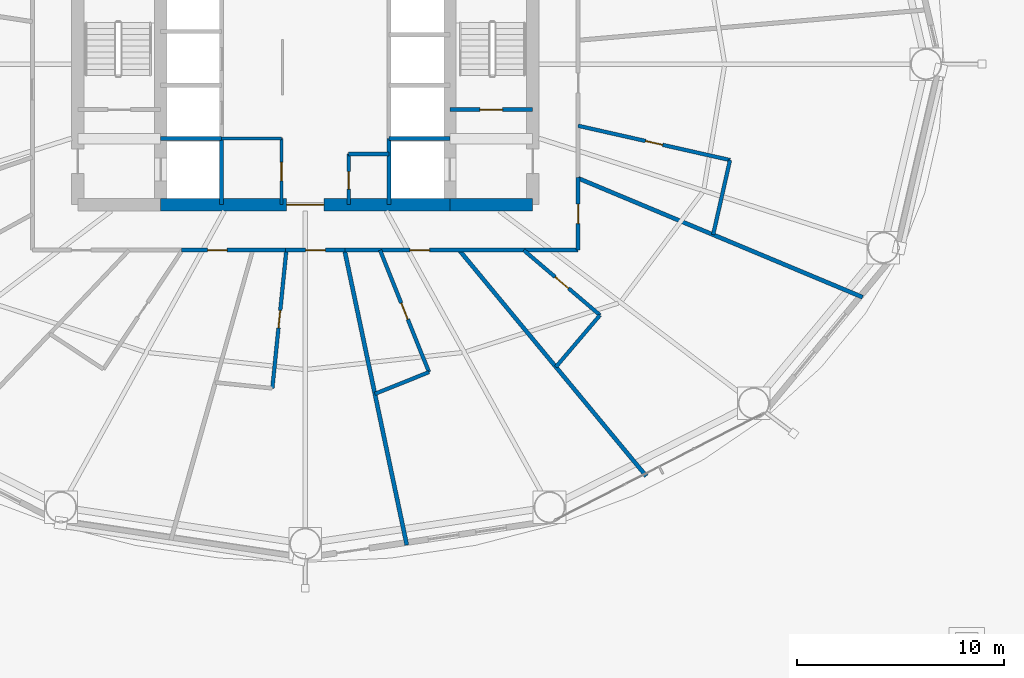
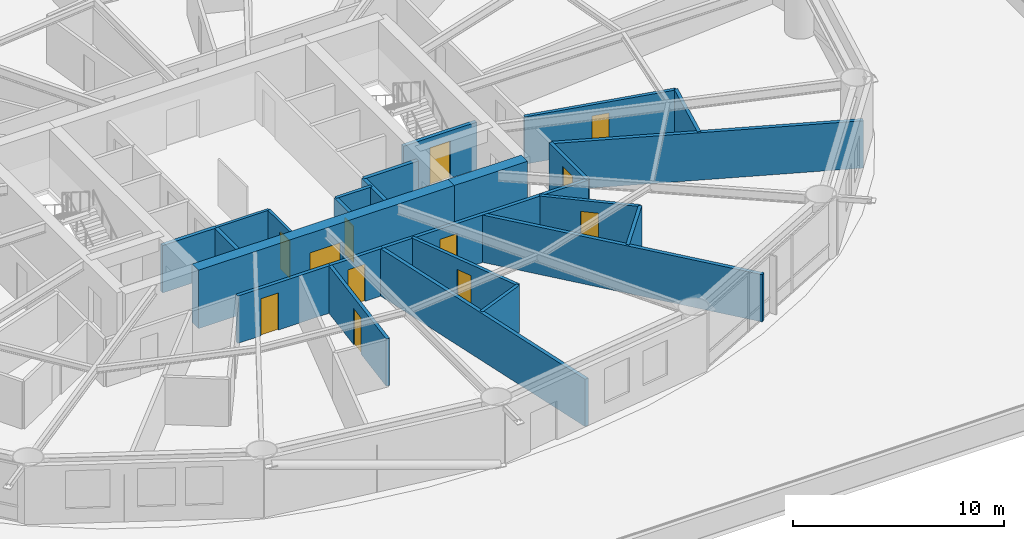
# One storey, part 23 of 30: 25 walls, 12 doors, 12 openings.
"""IFC4 building model written with IfcOpenShell, lengths in metres."""

from ifc_helpers import new_model, si_unit, direction, frame, frame_2d, origin, place, context, subcontext, project, spatial, rectangle, extrude, material, layer, layer_set, type_object, element, fill, save


model = new_model("IFC4")

# Units and contexts
model_context = context("Model", 3, precision=1e-05, world=origin(), true_north=direction((0.0, 1.0)))
body_context = subcontext(model_context, "Body", "Model", "MODEL_VIEW")
ifc_project = project(units=[si_unit("LENGTHUNIT", "METRE"), si_unit("AREAUNIT", "SQUARE_METRE"), si_unit("VOLUMEUNIT", "CUBIC_METRE"), si_unit("PLANEANGLEUNIT", "RADIAN"), si_unit("MASSUNIT", "GRAM", prefix="KILO")], contexts=[model_context])

# Site, building, storey
site_placement = place(None, origin())
site = spatial("IfcSite", under=ifc_project, at=site_placement, CompositionType="ELEMENT")
building_placement = place(site_placement, origin())
building = spatial("IfcBuilding", under=site, at=building_placement, Name="Sarneth Arch Tower", CompositionType="ELEMENT")
storey_placement = place(building_placement, frame((0.0, 0.0, 28.199951171875)))
storey = spatial("IfcBuildingStorey", under=building, at=storey_placement, Name="L05", CompositionType="ELEMENT", Elevation=28.199951171875)

# Wall, opening, door
ifc_material_1 = material(Name="Concrete C60/75", Category="concrete")
ifc_layer_1 = layer(ifc_material_1, 0.60009765625)
ifc_layer_set_1 = layer_set([ifc_layer_1], Name="Concrete C60/75")
wall_type_1 = type_object("IfcWallType", Name="WALL-CORE-600", PredefinedType="SHEAR", material=ifc_layer_set_1)
wall_1_placement = place(storey_placement, frame((41.0, 35.199951171875, 0.0), z_axis=(0.0, 0.0, 1.0), x_axis=(1.0, 0.0, 0.0)))
wall_1 = element("IfcWall", 1, at=wall_1_placement, inside=storey, type_object=wall_type_1, Name="L05 Core shear wall S-M", PredefinedType="SHEAR", context=body_context, shape_type="SweptSolid", body=[
    extrude(rectangle(XDim=14.0, YDim=0.60009765625, at=frame_2d((7.0, 0.0))), origin(), (0.0, 0.0, 1.0), 3.380126953125),
])
opening_1_placement = place(wall_1_placement, frame((6.10009765625, 0.0, 0.0)))
opening_1 = element("IfcOpeningElement", 2, at=opening_1_placement, cuts=wall_1, Name="Opening FD-01", PredefinedType="OPENING", context=body_context, shape_type="SweptSolid", body=[
    extrude(rectangle(XDim=1.800048828125, YDim=2.25, at=frame_2d((0.89990234375, 1.125))), frame((0.0, 0.31005859375, 0.0), z_axis=(0.0, -1.0, 0.0), x_axis=(1.0, 0.0, 0.0)), (0.0, 0.0, 1.0), 0.6201171875),
])
ifc_material_2 = material(Name="Galvanised Steel S275 fire door set", Category="steel")
door_type_1 = type_object("IfcDoorType", Name="DR-FD90-1800", OperationType="DOUBLE_DOOR_SINGLE_SWING", PredefinedType="DOOR", material=ifc_material_2)
door_1_placement = place(opening_1_placement, origin())
door_1 = element("IfcDoor", 3, at=door_1_placement, inside=storey, type_object=door_type_1, Name="L05 Central lift lobby south door", OperationType="DOUBLE_DOOR_SINGLE_SWING", OverallHeight=2.25, OverallWidth=1.800048828125, PredefinedType="DOOR", context=body_context, shape_type="SweptSolid", body=[
    extrude(rectangle(XDim=1.800048828125, YDim=2.25, at=frame_2d((0.89990234375, 1.125))), frame((0.0, 0.02490234375, 0.0), z_axis=(0.0, -1.0, 0.0), x_axis=(1.0, 0.0, 0.0)), (0.0, 0.0, 1.0), 0.050048828125),
])
fill(opening_1, door_1)

# Wall
wall_2_placement = place(storey_placement, frame((55.0, 35.199951171875, 0.0), z_axis=(0.0, 0.0, 1.0), x_axis=(1.0, 0.0, 0.0)))
element("IfcWall", 4, at=wall_2_placement, inside=storey, type_object=wall_type_1, Name="L05 Core shear wall S-E", PredefinedType="SHEAR", context=body_context, shape_type="SweptSolid", body=[
    extrude(rectangle(XDim=4.0, YDim=0.60009765625, at=frame_2d((2.0, 0.0))), origin(), (0.0, 0.0, 1.0), 3.380126953125),
])

# Wall, opening, door
ifc_material_3 = material(Name="Double steel-stud corridor fire wall", Category="steel")
ifc_layer_2 = layer(ifc_material_3, 0.18994140625)
ifc_layer_set_2 = layer_set([ifc_layer_2], Name="Double steel-stud corridor fire wall")
wall_type_2 = type_object("IfcWallType", Name="WALL-CORR-190", PredefinedType="PARTITIONING", material=ifc_layer_set_2)
wall_3_placement = place(storey_placement, frame((61.199951171875, 33.0, 0.0), z_axis=(0.0, 0.0, 1.0), x_axis=(-1.0, 0.0, 0.0)))
wall_3 = element("IfcWall", 5, at=wall_3_placement, inside=storey, type_object=wall_type_2, Name="L05 Interior partition W-L05-TP-022", PredefinedType="PARTITIONING", context=body_context, shape_type="SweptSolid", body=[
    extrude(rectangle(XDim=11.299560546875, YDim=0.18994140625, at=frame_2d((5.64990234375, 0.0))), origin(), (0.0, 0.0, 1.0), 2.739990234375),
])
opening_2_placement = place(wall_3_placement, frame((7.1884765625, 0.0, 0.0)))
opening_2 = element("IfcOpeningElement", 6, at=opening_2_placement, cuts=wall_3, Name="Opening FD-09", PredefinedType="OPENING", context=body_context, shape_type="SweptSolid", body=[
    extrude(rectangle(XDim=0.949951171875, YDim=2.14990234375, at=frame_2d((0.47509765625, 1.074951171875))), frame((0.0, 0.10498046875, 0.0), z_axis=(0.0, -1.0, 0.0), x_axis=(1.0, 0.0, 0.0)), (0.0, 0.0, 1.0), 0.2099609375),
])
ifc_material_4 = material(Name="Hardwood timber hotel entrance fire door", Category="wood")
door_type_2 = type_object("IfcDoorType", Name="DR-FD60-950", OperationType="SINGLE_SWING_RIGHT", PredefinedType="DOOR", material=ifc_material_4)
door_2_placement = place(opening_2_placement, origin())
door_2 = element("IfcDoor", 7, at=door_2_placement, inside=storey, type_object=door_type_2, Name="L05 Interior door DR-L05-KEY-11", OperationType="SINGLE_SWING_RIGHT", OverallHeight=2.14990234375, OverallWidth=0.949951171875, PredefinedType="DOOR", context=body_context, shape_type="SweptSolid", body=[
    extrude(rectangle(XDim=0.949951171875, YDim=2.14990234375, at=frame_2d((0.47509765625, 1.074951171875))), frame((0.0, 0.02490234375, 0.0), z_axis=(0.0, -1.0, 0.0), x_axis=(1.0, 0.0, 0.0)), (0.0, 0.0, 1.0), 0.050048828125),
])
fill(opening_2, door_2)

wall_4_placement = place(storey_placement, frame((61.199951171875, 36.51513671875, 0.0), z_axis=(0.0, 0.0, 1.0), x_axis=(0.0, -1.0, 0.0)))
wall_4 = element("IfcWall", 8, at=wall_4_placement, inside=storey, type_object=wall_type_2, Name="L05 Interior partition W-L05-TP-024", PredefinedType="PARTITIONING", context=body_context, shape_type="SweptSolid", body=[
    extrude(rectangle(XDim=3.51513671875, YDim=0.18994140625, at=frame_2d((1.757568359375, 0.0))), origin(), (0.0, 0.0, 1.0), 2.739990234375),
])
opening_3_placement = place(wall_4_placement, frame((1.282470703125, 0.0, 0.0)))
opening_3 = element("IfcOpeningElement", 9, at=opening_3_placement, cuts=wall_4, Name="Opening FD-09", PredefinedType="OPENING", context=body_context, shape_type="SweptSolid", body=[
    extrude(rectangle(XDim=0.949951171875, YDim=2.14990234375, at=frame_2d((0.47509765625, 1.074951171875))), frame((0.0, 0.10498046875, 0.0), z_axis=(0.0, -1.0, 0.0), x_axis=(1.0, 0.0, 0.0)), (0.0, 0.0, 1.0), 0.2099609375),
])
door_3_placement = place(opening_3_placement, origin())
door_3 = element("IfcDoor", 10, at=door_3_placement, inside=storey, type_object=door_type_2, Name="L05 Interior door DR-L05-KEY-12", OperationType="SINGLE_SWING_RIGHT", OverallHeight=2.14990234375, OverallWidth=0.949951171875, PredefinedType="DOOR", context=body_context, shape_type="SweptSolid", body=[
    extrude(rectangle(XDim=0.949951171875, YDim=2.14990234375, at=frame_2d((0.47509765625, 1.074951171875))), frame((0.0, 0.02490234375, 0.0), z_axis=(0.0, -1.0, 0.0), x_axis=(1.0, 0.0, 0.0)), (0.0, 0.0, 1.0), 0.050048828125),
])
fill(opening_3, door_3)

wall_5_placement = place(storey_placement, frame((47.117919921875, 33.0, 0.0), z_axis=(0.0, 0.0, 1.0), x_axis=(-1.0, 0.0, 0.0)))
wall_5 = element("IfcWall", 11, at=wall_5_placement, inside=storey, type_object=wall_type_2, Name="L05 Interior partition W-L05-TP-018", PredefinedType="PARTITIONING", context=body_context, shape_type="SweptSolid", body=[
    extrude(rectangle(XDim=5.111572265625, YDim=0.18994140625, at=frame_2d((2.5556640625, 0.0))), origin(), (0.0, 0.0, 1.0), 2.739990234375),
])
opening_4_placement = place(wall_5_placement, frame((2.893798828125, 0.0, 0.0)))
opening_4 = element("IfcOpeningElement", 12, at=opening_4_placement, cuts=wall_5, Name="Opening FD-09", PredefinedType="OPENING", context=body_context, shape_type="SweptSolid", body=[
    extrude(rectangle(XDim=0.949951171875, YDim=2.14990234375, at=frame_2d((0.47509765625, 1.074951171875))), frame((0.0, 0.10498046875, 0.0), z_axis=(0.0, -1.0, 0.0), x_axis=(1.0, 0.0, 0.0)), (0.0, 0.0, 1.0), 0.2099609375),
])
door_4_placement = place(opening_4_placement, origin())
door_4 = element("IfcDoor", 13, at=door_4_placement, inside=storey, type_object=door_type_2, Name="L05 Interior door DR-L05-KEY-09", OperationType="SINGLE_SWING_RIGHT", OverallHeight=2.14990234375, OverallWidth=0.949951171875, PredefinedType="DOOR", context=body_context, shape_type="SweptSolid", body=[
    extrude(rectangle(XDim=0.949951171875, YDim=2.14990234375, at=frame_2d((0.47509765625, 1.074951171875))), frame((0.0, 0.02490234375, 0.0), z_axis=(0.0, -1.0, 0.0), x_axis=(1.0, 0.0, 0.0)), (0.0, 0.0, 1.0), 0.050048828125),
])
fill(opening_4, door_4)

wall_6_placement = place(storey_placement, frame((49.93310546875, 33.0, 0.0), z_axis=(0.0, 0.0, 1.0), x_axis=(-1.0, 0.0, 0.0)))
wall_6 = element("IfcWall", 14, at=wall_6_placement, inside=storey, type_object=wall_type_2, Name="L05 Interior partition W-L05-TP-020", PredefinedType="PARTITIONING", context=body_context, shape_type="SweptSolid", body=[
    extrude(rectangle(XDim=2.87939453125, YDim=0.18994140625, at=frame_2d((1.439697265625, 0.0))), origin(), (0.0, 0.0, 1.0), 2.739990234375),
])
opening_5_placement = place(wall_6_placement, frame((0.96484375, 0.0, 0.0)))
opening_5 = element("IfcOpeningElement", 15, at=opening_5_placement, cuts=wall_6, Name="Opening FD-09", PredefinedType="OPENING", context=body_context, shape_type="SweptSolid", body=[
    extrude(rectangle(XDim=0.949951171875, YDim=2.14990234375, at=frame_2d((0.47509765625, 1.074951171875))), frame((0.0, 0.10498046875, 0.0), z_axis=(0.0, -1.0, 0.0), x_axis=(1.0, 0.0, 0.0)), (0.0, 0.0, 1.0), 0.2099609375),
])
door_5_placement = place(opening_5_placement, origin())
door_5 = element("IfcDoor", 16, at=door_5_placement, inside=storey, type_object=door_type_2, Name="L05 Interior door DR-L05-KEY-10", OperationType="SINGLE_SWING_RIGHT", OverallHeight=2.14990234375, OverallWidth=0.949951171875, PredefinedType="DOOR", context=body_context, shape_type="SweptSolid", body=[
    extrude(rectangle(XDim=0.949951171875, YDim=2.14990234375, at=frame_2d((0.47509765625, 1.074951171875))), frame((0.0, 0.02490234375, 0.0), z_axis=(0.0, -1.0, 0.0), x_axis=(1.0, 0.0, 0.0)), (0.0, 0.0, 1.0), 0.050048828125),
])
fill(opening_5, door_5)

# Wall
ifc_material_5 = material(Name="Acoustic gypsum stud partition", Category="gypsum")
ifc_layer_3 = layer(ifc_material_5, 0.14990234375)
ifc_layer_set_3 = layer_set([ifc_layer_3], Name="Acoustic gypsum stud partition")
wall_type_3 = type_object("IfcWallType", Name="WALL-PART-150", PredefinedType="PARTITIONING", material=ifc_layer_set_3)
wall_7_placement = place(storey_placement, frame((43.949951171875, 38.39990234375, 0.0), z_axis=(0.0, 0.0, 1.0), x_axis=(1.0, 0.0, 0.0)))
element("IfcWall", 17, at=wall_7_placement, inside=storey, type_object=wall_type_3, Name="L05 Interior partition W-L05-CSUP1-N", PredefinedType="PARTITIONING", context=body_context, shape_type="SweptSolid", body=[
    extrude(rectangle(XDim=2.900146484375, YDim=0.14990234375, at=frame_2d((1.4501953125, 0.0))), origin(), (0.0, 0.0, 1.0), 2.739990234375),
])

# Wall, opening, door
wall_8_placement = place(storey_placement, frame((46.85009765625, 35.199951171875, 0.0), z_axis=(0.0, 0.0, 1.0), x_axis=(0.0, 1.0, 0.0)))
wall_8 = element("IfcWall", 18, at=wall_8_placement, inside=storey, type_object=wall_type_3, Name="L05 Interior partition W-L05-CSUP1-E", PredefinedType="PARTITIONING", context=body_context, shape_type="SweptSolid", body=[
    extrude(rectangle(XDim=3.199951171875, YDim=0.14990234375, at=frame_2d((1.60009765625, 0.0))), origin(), (0.0, 0.0, 1.0), 2.739990234375),
])
opening_6_placement = place(wall_8_placement, frame((1.14990234375, 0.0, 0.0)))
opening_6 = element("IfcOpeningElement", 19, at=opening_6_placement, cuts=wall_8, Name="Opening FD-10", PredefinedType="OPENING", context=body_context, shape_type="SweptSolid", body=[
    extrude(rectangle(XDim=0.89990234375, YDim=2.14990234375, at=frame_2d((0.449951171875, 1.074951171875))), frame((0.0, 0.0849609375, 0.0), z_axis=(0.0, -1.0, 0.0), x_axis=(1.0, 0.0, 0.0)), (0.0, 0.0, 1.0), 0.169921875),
])
ifc_material_6 = material(Name="Galvanised Steel S275 riser/service fire door", Category="steel")
door_type_3 = type_object("IfcDoorType", Name="DR-FD60-900", OperationType="SINGLE_SWING_LEFT", PredefinedType="DOOR", material=ifc_material_6)
door_6_placement = place(opening_6_placement, origin())
door_6 = element("IfcDoor", 20, at=door_6_placement, inside=storey, type_object=door_type_3, Name="L05 Interior door DR-L05-CSUP1", OperationType="SINGLE_SWING_LEFT", OverallHeight=2.14990234375, OverallWidth=0.89990234375, PredefinedType="DOOR", context=body_context, shape_type="SweptSolid", body=[
    extrude(rectangle(XDim=0.89990234375, YDim=2.14990234375, at=frame_2d((0.449951171875, 1.074951171875))), frame((0.0, 0.02490234375, 0.0), z_axis=(0.0, -1.0, 0.0), x_axis=(1.0, 0.0, 0.0)), (0.0, 0.0, 1.0), 0.050048828125),
])
fill(opening_6, door_6)

# Wall
ifc_material_7 = material(Name="Moisture-resistant plumbing chase wall", Category="gypsum")
ifc_layer_4 = layer(ifc_material_7, 0.179931640625)
ifc_layer_set_4 = layer_set([ifc_layer_4], Name="Moisture-resistant plumbing chase wall")
wall_type_4 = type_object("IfcWallType", Name="WALL-PLUMB-180", PredefinedType="PLUMBINGWALL", material=ifc_layer_set_4)
wall_9_placement = place(storey_placement, frame((50.10009765625, 37.64990234375, 0.0), z_axis=(0.0, 0.0, 1.0), x_axis=(1.0, 0.0, 0.0)))
element("IfcWall", 21, at=wall_9_placement, inside=storey, type_object=wall_type_4, Name="L05 Interior partition W-L05-AWC-N", PredefinedType="PLUMBINGWALL", context=body_context, shape_type="SweptSolid", body=[
    extrude(rectangle(XDim=1.949951171875, YDim=0.179931640625, at=frame_2d((0.97509765625, 0.0))), origin(), (0.0, 0.0, 1.0), 2.739990234375),
])

# Wall, opening, door
wall_10_placement = place(storey_placement, frame((50.10009765625, 35.199951171875, 0.0), z_axis=(0.0, 0.0, 1.0), x_axis=(0.0, 1.0, 0.0)))
wall_10 = element("IfcWall", 22, at=wall_10_placement, inside=storey, type_object=wall_type_4, Name="L05 Interior partition W-L05-AWC-W", PredefinedType="PLUMBINGWALL", context=body_context, shape_type="SweptSolid", body=[
    extrude(rectangle(XDim=2.449951171875, YDim=0.179931640625, at=frame_2d((1.22509765625, 0.0))), origin(), (0.0, 0.0, 1.0), 2.739990234375),
])
opening_7_placement = place(wall_10_placement, frame((0.75, 0.0, 0.0)))
opening_7 = element("IfcOpeningElement", 23, at=opening_7_placement, cuts=wall_10, Name="Opening ID-02", PredefinedType="OPENING", context=body_context, shape_type="SweptSolid", body=[
    extrude(rectangle(XDim=0.85009765625, YDim=2.10009765625, at=frame_2d((0.425048828125, 1.050048828125))), frame((0.0, 0.099853515625, 0.0), z_axis=(0.0, -1.0, 0.0), x_axis=(1.0, 0.0, 0.0)), (0.0, 0.0, 1.0), 0.199951171875),
])
ifc_material_8 = material(Name="Moisture-resistant bathroom timber door", Category="wood")
door_type_4 = type_object("IfcDoorType", Name="DR-INT-850", OperationType="SINGLE_SWING_RIGHT", PredefinedType="DOOR", material=ifc_material_8)
door_7_placement = place(opening_7_placement, origin())
door_7 = element("IfcDoor", 24, at=door_7_placement, inside=storey, type_object=door_type_4, Name="L05 Interior door DR-L05-AWC", OperationType="SINGLE_SWING_RIGHT", OverallHeight=2.10009765625, OverallWidth=0.85009765625, PredefinedType="DOOR", context=body_context, shape_type="SweptSolid", body=[
    extrude(rectangle(XDim=0.85009765625, YDim=2.10009765625, at=frame_2d((0.425048828125, 1.050048828125))), frame((0.0, 0.02490234375, 0.0), z_axis=(0.0, -1.0, 0.0), x_axis=(1.0, 0.0, 0.0)), (0.0, 0.0, 1.0), 0.050048828125),
])
fill(opening_7, door_7)

wall_11_placement = place(storey_placement, frame((68.546875, 37.36083984375, 0.0), z_axis=(0.0, 0.0, 1.0), x_axis=(-0.975442349969, 0.220254902072, 0.0)))
wall_11 = element("IfcWall", 25, at=wall_11_placement, inside=storey, type_object=wall_type_4, Name="L05 Interior partition W-L05-TP-074", PredefinedType="PLUMBINGWALL", context=body_context, shape_type="SweptSolid", body=[
    extrude(rectangle(XDim=7.531982421875, YDim=0.179931640625, at=frame_2d((3.76611328125, 0.0))), origin(), (0.0, 0.0, 1.0), 2.739990234375),
])
opening_8_placement = place(wall_11_placement, frame((3.3408203125, 0.0, 0.0)))
opening_8 = element("IfcOpeningElement", 26, at=opening_8_placement, cuts=wall_11, Name="Opening ID-02", PredefinedType="OPENING", context=body_context, shape_type="SweptSolid", body=[
    extrude(rectangle(XDim=0.85009765625, YDim=2.10009765625, at=frame_2d((0.425048828125, 1.050048828125))), frame((0.0, 0.099853515625, 0.0), z_axis=(0.0, -1.0, 0.0), x_axis=(1.0, 0.0, 0.0)), (0.0, 0.0, 1.0), 0.199951171875),
])
door_8_placement = place(opening_8_placement, origin())
door_8 = element("IfcDoor", 27, at=door_8_placement, inside=storey, type_object=door_type_4, Name="L05 Interior door DR-L05-ENS-13", OperationType="SINGLE_SWING_LEFT", OverallHeight=2.10009765625, OverallWidth=0.85009765625, PredefinedType="DOOR", context=body_context, shape_type="SweptSolid", body=[
    extrude(rectangle(XDim=0.85009765625, YDim=2.10009765625, at=frame_2d((0.425048828125, 1.050048828125))), frame((0.0, 0.02490234375, 0.0), z_axis=(0.0, -1.0, 0.0), x_axis=(1.0, 0.0, 0.0)), (0.0, 0.0, 1.0), 0.050048828125),
])
fill(opening_8, door_8)

wall_12_placement = place(storey_placement, frame((47.085693359375, 33.0, 0.0), z_axis=(0.0, 0.0, 1.0), x_axis=(-0.101019373019, -0.994884458756, 0.0)))
wall_12 = element("IfcWall", 28, at=wall_12_placement, inside=storey, type_object=wall_type_4, Name="L05 Interior partition W-L05-TP-061", PredefinedType="PLUMBINGWALL", context=body_context, shape_type="SweptSolid", body=[
    extrude(rectangle(XDim=6.7138671875, YDim=0.179931640625, at=frame_2d((3.35693359375, 0.0))), origin(), (0.0, 0.0, 1.0), 2.739990234375),
])
opening_9_placement = place(wall_12_placement, frame((2.931884765625, 0.0, 0.0)))
opening_9 = element("IfcOpeningElement", 29, at=opening_9_placement, cuts=wall_12, Name="Opening ID-02", PredefinedType="OPENING", context=body_context, shape_type="SweptSolid", body=[
    extrude(rectangle(XDim=0.85009765625, YDim=2.10009765625, at=frame_2d((0.425048828125, 1.050048828125))), frame((0.0, 0.099853515625, 0.0), z_axis=(0.0, -1.0, 0.0), x_axis=(1.0, 0.0, 0.0)), (0.0, 0.0, 1.0), 0.199951171875),
])
door_9_placement = place(opening_9_placement, origin())
door_9 = element("IfcDoor", 30, at=door_9_placement, inside=storey, type_object=door_type_4, Name="L05 Interior door DR-L05-ENS-10", OperationType="SINGLE_SWING_LEFT", OverallHeight=2.10009765625, OverallWidth=0.85009765625, PredefinedType="DOOR", context=body_context, shape_type="SweptSolid", body=[
    extrude(rectangle(XDim=0.85009765625, YDim=2.10009765625, at=frame_2d((0.425048828125, 1.050048828125))), frame((0.0, 0.02490234375, 0.0), z_axis=(0.0, -1.0, 0.0), x_axis=(1.0, 0.0, 0.0)), (0.0, 0.0, 1.0), 0.050048828125),
])
fill(opening_9, door_9)

wall_13_placement = place(storey_placement, frame((53.986572265625, 27.102294921875, 0.0), z_axis=(0.0, 0.0, 1.0), x_axis=(-0.37285379951, 0.927890103509, 0.0)))
wall_13 = element("IfcWall", 31, at=wall_13_placement, inside=storey, type_object=wall_type_4, Name="L05 Interior partition W-L05-TP-066", PredefinedType="PLUMBINGWALL", context=body_context, shape_type="SweptSolid", body=[
    extrude(rectangle(XDim=6.35595703125, YDim=0.179931640625, at=frame_2d((3.177978515625, 0.0))), origin(), (0.0, 0.0, 1.0), 2.739990234375),
])
opening_10_placement = place(wall_13_placement, frame((2.7529296875, 0.0, 0.0)))
opening_10 = element("IfcOpeningElement", 32, at=opening_10_placement, cuts=wall_13, Name="Opening ID-02", PredefinedType="OPENING", context=body_context, shape_type="SweptSolid", body=[
    extrude(rectangle(XDim=0.85009765625, YDim=2.10009765625, at=frame_2d((0.425048828125, 1.050048828125))), frame((0.0, 0.099853515625, 0.0), z_axis=(0.0, -1.0, 0.0), x_axis=(1.0, 0.0, 0.0)), (0.0, 0.0, 1.0), 0.199951171875),
])
door_10_placement = place(opening_10_placement, origin())
door_10 = element("IfcDoor", 33, at=door_10_placement, inside=storey, type_object=door_type_4, Name="L05 Interior door DR-L05-ENS-11", OperationType="SINGLE_SWING_LEFT", OverallHeight=2.10009765625, OverallWidth=0.85009765625, PredefinedType="DOOR", context=body_context, shape_type="SweptSolid", body=[
    extrude(rectangle(XDim=0.85009765625, YDim=2.10009765625, at=frame_2d((0.425048828125, 1.050048828125))), frame((0.0, 0.02490234375, 0.0), z_axis=(0.0, -1.0, 0.0), x_axis=(1.0, 0.0, 0.0)), (0.0, 0.0, 1.0), 0.050048828125),
])
fill(opening_10, door_10)

wall_14_placement = place(storey_placement, frame((62.2578125, 29.85888671875, 0.0), z_axis=(0.0, 0.0, 1.0), x_axis=(-0.761358380859, 0.648331254758, 0.0)))
wall_14 = element("IfcWall", 34, at=wall_14_placement, inside=storey, type_object=wall_type_4, Name="L05 Interior partition W-L05-TP-070", PredefinedType="PLUMBINGWALL", context=body_context, shape_type="SweptSolid", body=[
    extrude(rectangle(XDim=4.844970703125, YDim=0.179931640625, at=frame_2d((2.42236328125, 0.0))), origin(), (0.0, 0.0, 1.0), 2.739990234375),
])
opening_11_placement = place(wall_14_placement, frame((1.997314453125, 0.0, 0.0)))
opening_11 = element("IfcOpeningElement", 35, at=opening_11_placement, cuts=wall_14, Name="Opening ID-02", PredefinedType="OPENING", context=body_context, shape_type="SweptSolid", body=[
    extrude(rectangle(XDim=0.85009765625, YDim=2.10009765625, at=frame_2d((0.425048828125, 1.050048828125))), frame((0.0, 0.099853515625, 0.0), z_axis=(0.0, -1.0, 0.0), x_axis=(1.0, 0.0, 0.0)), (0.0, 0.0, 1.0), 0.199951171875),
])
door_11_placement = place(opening_11_placement, origin())
door_11 = element("IfcDoor", 36, at=door_11_placement, inside=storey, type_object=door_type_4, Name="L05 Interior door DR-L05-ENS-12", OperationType="SINGLE_SWING_LEFT", OverallHeight=2.10009765625, OverallWidth=0.85009765625, PredefinedType="DOOR", context=body_context, shape_type="SweptSolid", body=[
    extrude(rectangle(XDim=0.85009765625, YDim=2.10009765625, at=frame_2d((0.425048828125, 1.050048828125))), frame((0.0, 0.02490234375, 0.0), z_axis=(0.0, -1.0, 0.0), x_axis=(1.0, 0.0, 0.0)), (0.0, 0.0, 1.0), 0.050048828125),
])
fill(opening_11, door_11)

# Walls
wall_15_placement = place(storey_placement, frame((67.7314453125, 33.749267578125, 0.0), z_axis=(0.0, 0.0, 1.0), x_axis=(0.220238608567, 0.9754460289, 0.0)))
element("IfcWall", 37, at=wall_15_placement, inside=storey, type_object=wall_type_4, Name="L05 Interior partition W-L05-TP-073", PredefinedType="PLUMBINGWALL", context=body_context, shape_type="SweptSolid", body=[
    extrude(rectangle(XDim=3.702392578125, YDim=0.179931640625, at=frame_2d((1.85107421875, 0.0))), origin(), (0.0, 0.0, 1.0), 2.739990234375),
])
wall_16_placement = place(storey_placement, frame((60.123779296875, 27.352783203125, 0.0), z_axis=(0.0, 0.0, 1.0), x_axis=(0.648326357453, 0.76136255111, 0.0)))
element("IfcWall", 38, at=wall_16_placement, inside=storey, type_object=wall_type_4, Name="L05 Interior partition W-L05-TP-069", PredefinedType="PLUMBINGWALL", context=body_context, shape_type="SweptSolid", body=[
    extrude(rectangle(XDim=3.29150390625, YDim=0.179931640625, at=frame_2d((1.645751953125, 0.0))), origin(), (0.0, 0.0, 1.0), 2.739990234375),
])
wall_17_placement = place(storey_placement, frame((51.367919921875, 26.050048828125, 0.0), z_axis=(0.0, 0.0, 1.0), x_axis=(0.927890861741, 0.372851912558, 0.0)))
element("IfcWall", 39, at=wall_17_placement, inside=storey, type_object=wall_type_4, Name="L05 Interior partition W-L05-TP-065", PredefinedType="PLUMBINGWALL", context=body_context, shape_type="SweptSolid", body=[
    extrude(rectangle(XDim=2.822265625, YDim=0.179931640625, at=frame_2d((1.4111328125, 0.0))), origin(), (0.0, 0.0, 1.0), 2.739990234375),
])

# Wall, opening, door
ifc_material_9 = material(Name="Aerated concrete blockwork C25/30", Category="masonry")
ifc_layer_5 = layer(ifc_material_9, 0.199951171875)
ifc_layer_set_5 = layer_set([ifc_layer_5], Name="Aerated concrete blockwork C25/30")
wall_type_5 = type_object("IfcWallType", Name="WALL-SHAFT-200", PredefinedType="SOLIDWALL", material=ifc_layer_set_5)
wall_18_placement = place(storey_placement, frame((55.0, 39.800048828125, 0.0), z_axis=(0.0, 0.0, 1.0), x_axis=(1.0, 0.0, 0.0)))
wall_18 = element("IfcWall", 40, at=wall_18_placement, inside=storey, type_object=wall_type_5, Name="L05 Interior partition W-L05-ST2-S", PredefinedType="SOLIDWALL", context=body_context, shape_type="SweptSolid", body=[
    extrude(rectangle(XDim=4.0, YDim=0.199951171875, at=frame_2d((2.0, 0.0))), origin(), (0.0, 0.0, 1.0), 2.739990234375),
])
opening_12_placement = place(wall_18_placement, frame((1.449951171875, 0.0, 0.0)))
opening_12 = element("IfcOpeningElement", 41, at=opening_12_placement, cuts=wall_18, Name="Opening FD-03", PredefinedType="OPENING", context=body_context, shape_type="SweptSolid", body=[
    extrude(rectangle(XDim=1.10009765625, YDim=2.14990234375, at=frame_2d((0.550048828125, 1.074951171875))), frame((0.0, 0.10986328125, 0.0), z_axis=(0.0, -1.0, 0.0), x_axis=(1.0, 0.0, 0.0)), (0.0, 0.0, 1.0), 0.219970703125),
])
ifc_material_10 = material(Name="Galvanised Steel S275 fire door set", Category="steel")
door_type_5 = type_object("IfcDoorType", Name="DR-FD90-1100", OperationType="SINGLE_SWING_LEFT", PredefinedType="DOOR", material=ifc_material_10)
door_12_placement = place(opening_12_placement, origin())
door_12 = element("IfcDoor", 42, at=door_12_placement, inside=storey, type_object=door_type_5, Name="L05 Interior door DR-L05-ST2", OperationType="SINGLE_SWING_RIGHT", OverallHeight=2.14990234375, OverallWidth=1.10009765625, PredefinedType="DOOR", context=body_context, shape_type="SweptSolid", body=[
    extrude(rectangle(XDim=1.10009765625, YDim=2.14990234375, at=frame_2d((0.550048828125, 1.074951171875))), frame((0.0, 0.02490234375, 0.0), z_axis=(0.0, -1.0, 0.0), x_axis=(1.0, 0.0, 0.0)), (0.0, 0.0, 1.0), 0.050048828125),
])
fill(opening_12, door_12)

# Walls
wall_19_placement = place(storey_placement, frame((43.949951171875, 35.199951171875, 0.0), z_axis=(0.0, 0.0, 1.0), x_axis=(0.0, 1.0, 0.0)))
element("IfcWall", 43, at=wall_19_placement, inside=storey, type_object=wall_type_5, Name="L05 Interior partition W-L05-FL1-E", PredefinedType="SOLIDWALL", context=body_context, shape_type="SweptSolid", body=[
    extrude(rectangle(XDim=3.199951171875, YDim=0.199951171875, at=frame_2d((1.60009765625, 0.0))), origin(), (0.0, 0.0, 1.0), 2.739990234375),
])
wall_20_placement = place(storey_placement, frame((41.0, 38.39990234375, 0.0), z_axis=(0.0, 0.0, 1.0), x_axis=(1.0, 0.0, 0.0)))
element("IfcWall", 44, at=wall_20_placement, inside=storey, type_object=wall_type_5, Name="L05 Interior partition W-L05-FL1-N", PredefinedType="SOLIDWALL", context=body_context, shape_type="SweptSolid", body=[
    extrude(rectangle(XDim=2.949951171875, YDim=0.199951171875, at=frame_2d((1.47509765625, 0.0))), origin(), (0.0, 0.0, 1.0), 2.739990234375),
])
wall_21_placement = place(storey_placement, frame((52.050048828125, 35.199951171875, 0.0), z_axis=(0.0, 0.0, 1.0), x_axis=(0.0, 1.0, 0.0)))
element("IfcWall", 45, at=wall_21_placement, inside=storey, type_object=wall_type_5, Name="L05 Interior partition W-L05-FL2-W", PredefinedType="SOLIDWALL", context=body_context, shape_type="SweptSolid", body=[
    extrude(rectangle(XDim=3.199951171875, YDim=0.199951171875, at=frame_2d((1.60009765625, 0.0))), origin(), (0.0, 0.0, 1.0), 2.739990234375),
])
wall_22_placement = place(storey_placement, frame((52.050048828125, 38.39990234375, 0.0), z_axis=(0.0, 0.0, 1.0), x_axis=(1.0, 0.0, 0.0)))
element("IfcWall", 46, at=wall_22_placement, inside=storey, type_object=wall_type_5, Name="L05 Interior partition W-L05-FL2-N", PredefinedType="SOLIDWALL", context=body_context, shape_type="SweptSolid", body=[
    extrude(rectangle(XDim=2.949951171875, YDim=0.199951171875, at=frame_2d((1.47509765625, 0.0))), origin(), (0.0, 0.0, 1.0), 2.739990234375),
])
ifc_material_11 = material(Name="Double steel-stud acoustic drywall", Category="steel")
ifc_layer_6 = layer(ifc_material_11, 0.199951171875)
ifc_layer_set_6 = layer_set([ifc_layer_6], Name="Double steel-stud acoustic drywall")
wall_type_6 = type_object("IfcWallType", Name="WALL-UNIT-200", PredefinedType="PARTITIONING", material=ifc_layer_set_6)
wall_23_placement = place(storey_placement, frame((61.199951171875, 36.48046875, 0.0), z_axis=(0.0, 0.0, 1.0), x_axis=(0.922585702004, -0.385792201136, 0.0)))
element("IfcWall", 47, at=wall_23_placement, inside=storey, type_object=wall_type_6, Name="L05 Interior partition W-L05-TP-071", PredefinedType="PARTITIONING", context=body_context, shape_type="SweptSolid", body=[
    extrude(rectangle(XDim=14.918212890625, YDim=0.199951171875, at=frame_2d((7.458984375, 0.0))), origin(), (0.0, 0.0, 1.0), 2.739990234375),
])
wall_24_placement = place(storey_placement, frame((49.900390625, 33.0, 0.0), z_axis=(0.0, 0.0, 1.0), x_axis=(0.206598790959, -0.97842574556, 0.0)))
element("IfcWall", 48, at=wall_24_placement, inside=storey, type_object=wall_type_6, Name="L05 Interior partition W-L05-TP-063", PredefinedType="PARTITIONING", context=body_context, shape_type="SweptSolid", body=[
    extrude(rectangle(XDim=14.576416015625, YDim=0.199951171875, at=frame_2d((7.2880859375, 0.0))), origin(), (0.0, 0.0, 1.0), 2.739990234375),
])
wall_25_placement = place(storey_placement, frame((55.449462890625, 33.0, 0.0), z_axis=(0.0, 0.0, 1.0), x_axis=(0.637638501905, -0.770335732579, 0.0)))
element("IfcWall", 49, at=wall_25_placement, inside=storey, type_object=wall_type_6, Name="L05 Interior partition W-L05-TP-068", PredefinedType="PARTITIONING", context=body_context, shape_type="SweptSolid", body=[
    extrude(rectangle(XDim=14.18701171875, YDim=0.199951171875, at=frame_2d((7.093505859375, 0.0))), origin(), (0.0, 0.0, 1.0), 2.739990234375),
])

save(model, "model.ifc")
